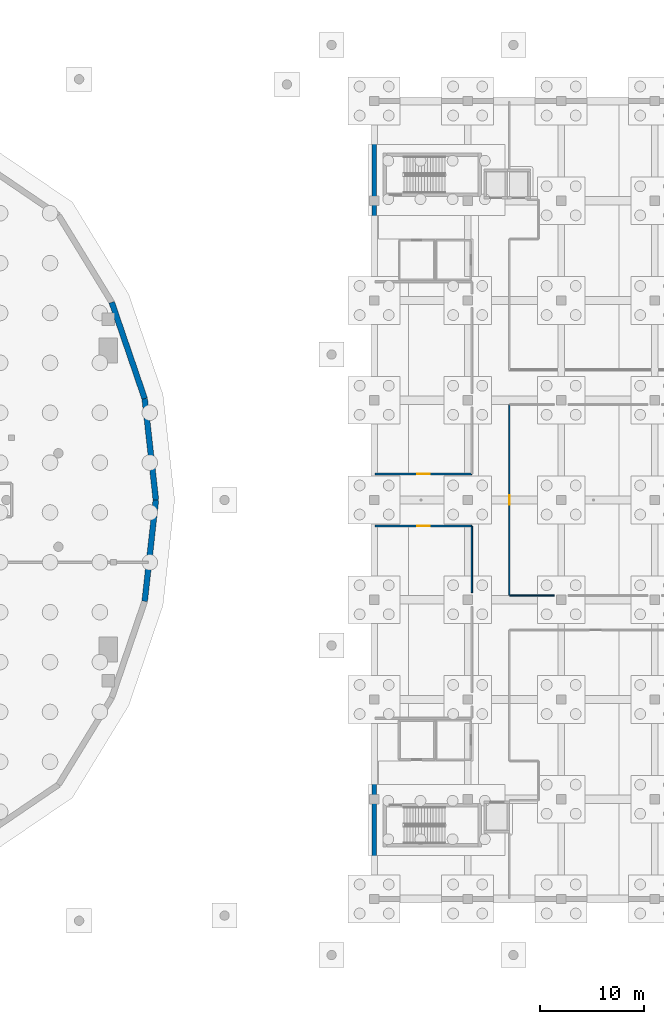
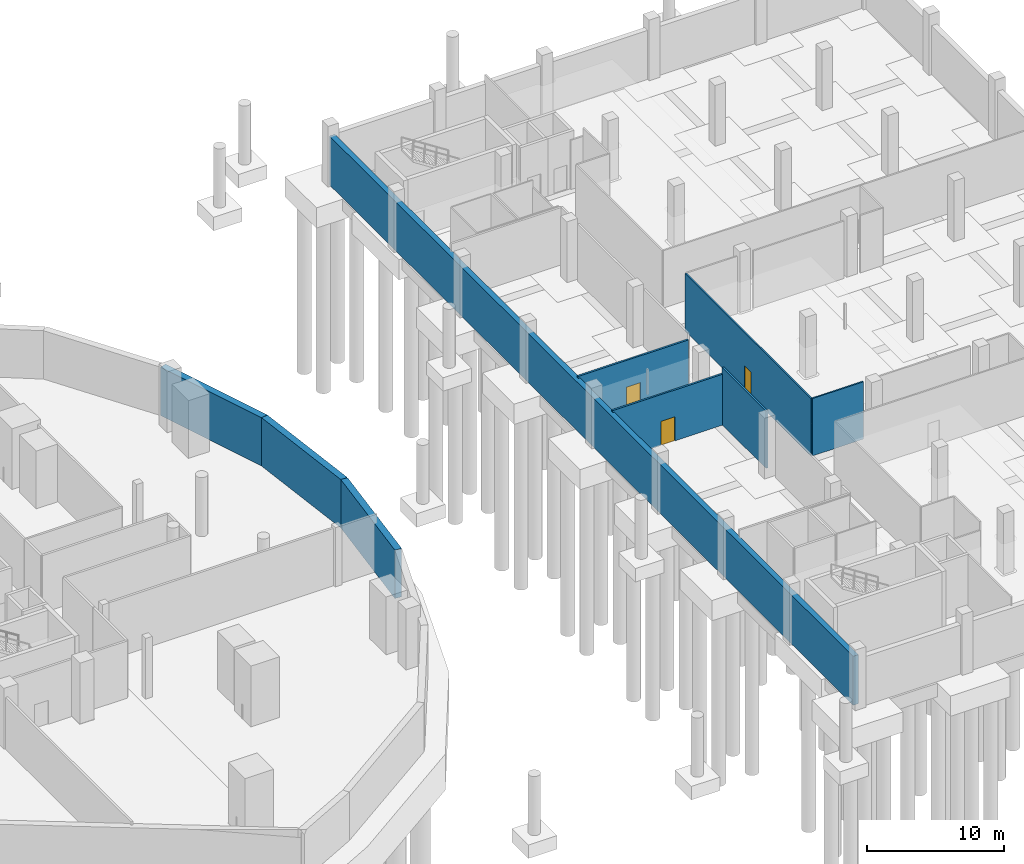
# One storey, part 8 of 22: 9 walls, 3 doors, 3 openings.
"""IFC4 building model written with IfcOpenShell, lengths in metres."""

from ifc_helpers import new_model, si_unit, direction, frame, frame_2d, origin, place, context, subcontext, project, spatial, rectangle, extrude, material, layer, layer_set, type_object, element, fill, save


model = new_model("IFC4")

# Units and contexts
model_context = context("Model", 3, precision=1e-05, world=origin(), true_north=direction((0.0, 1.0)))
body_context = subcontext(model_context, "Body", "Model", "MODEL_VIEW")
ifc_project = project(units=[si_unit("LENGTHUNIT", "METRE"), si_unit("AREAUNIT", "SQUARE_METRE"), si_unit("VOLUMEUNIT", "CUBIC_METRE"), si_unit("PLANEANGLEUNIT", "RADIAN"), si_unit("MASSUNIT", "GRAM", prefix="KILO")], contexts=[model_context])

# Site, building, storey
site_placement = place(None, origin())
site = spatial("IfcSite", under=ifc_project, at=site_placement, CompositionType="ELEMENT")
building_placement = place(site_placement, origin())
building = spatial("IfcBuilding", under=site, at=building_placement, Name="Qorvath Tower", CompositionType="ELEMENT")
storey_placement = place(building_placement, frame((0.0, 0.0, -5.39990234375)))
storey = spatial("IfcBuildingStorey", under=building, at=storey_placement, Name="B01", CompositionType="ELEMENT", Elevation=-5.39990234375)

# Wall
ifc_material_1 = material(Name="Double acoustic gypsum board on steel studs", Category="steel")
ifc_layer_1 = layer(ifc_material_1, 0.159912109375)
ifc_layer_set_1 = layer_set([ifc_layer_1], Name="IW-ACOUSTIC-160")
wall_type_1 = type_object("IfcWallType", Name="IW-ACOUSTIC-160", PredefinedType="PARTITIONING", material=ifc_layer_set_1)
wall_1_placement = place(storey_placement, frame((41.800048828125, -8.925048828125, 0.0), z_axis=(0.0, 0.0, 1.0), x_axis=(0.0, 1.0, 0.0)))
element("IfcWall", 1, at=wall_1_placement, inside=storey, type_object=wall_type_1, Name="Interior Partition IW-LB-B01-016", PredefinedType="PARTITIONING", context=body_context, shape_type="SweptSolid", body=[
    extrude(rectangle(XDim=6.391845703125, YDim=0.159912109375, at=frame_2d((3.19580078125, 0.0))), origin(), (0.0, 0.0, 1.0), 5.099853515625),
])

# Wall, opening, door
wall_2_placement = place(storey_placement, frame((41.77490234375, -2.508056640625, 0.0), z_axis=(0.0, 0.0, 1.0), x_axis=(-1.0, 0.0, 0.0)))
wall_2 = element("IfcWall", 2, at=wall_2_placement, inside=storey, type_object=wall_type_1, Name="Interior Partition IW-LB-B01-017", PredefinedType="PARTITIONING", context=body_context, shape_type="SweptSolid", body=[
    extrude(rectangle(XDim=9.294921875, YDim=0.159912109375, at=frame_2d((4.6474609375, 0.0))), origin(), (0.0, 0.0, 1.0), 4.52587890625),
])
opening_1_placement = place(wall_2_placement, frame((4.04736328125, 0.0, 0.0)))
opening_1 = element("IfcOpeningElement", 3, at=opening_1_placement, cuts=wall_2, Name="Opening D-LB-B01-04", PredefinedType="OPENING", context=body_context, shape_type="SweptSolid", body=[
    extrude(rectangle(XDim=1.199951171875, YDim=2.14990234375, at=frame_2d((0.60009765625, 1.074951171875))), frame((0.0, 0.08984375, 0.0), z_axis=(0.0, -1.0, 0.0), x_axis=(1.0, 0.0, 0.0)), (0.0, 0.0, 1.0), 0.179931640625),
])
ifc_material_2 = material(Name="Painted hollow steel utility leaf", Category="steel")
door_type_1 = type_object("IfcDoorType", Name="D-05", OperationType="NOTDEFINED", PredefinedType="DOOR", material=ifc_material_2)
door_1_placement = place(opening_1_placement, origin())
door_1 = element("IfcDoor", 4, at=door_1_placement, inside=storey, type_object=door_type_1, Name="L-B01-MEP Plant Library Preservation Mechanical Door D-LB-B01-04", OperationType="SINGLE_SWING_LEFT", OverallHeight=2.14990234375, OverallWidth=1.199951171875, PredefinedType="DOOR", context=body_context, shape_type="SweptSolid", body=[
    extrude(rectangle(XDim=1.199951171875, YDim=2.14990234375, at=frame_2d((0.60009765625, 1.074951171875))), frame((0.0, 0.02490234375, 0.0), z_axis=(0.0, -1.0, 0.0), x_axis=(1.0, 0.0, 0.0)), (0.0, 0.0, 1.0), 0.050048828125),
])
fill(opening_1, door_1)

wall_3_placement = place(storey_placement, frame((32.47998046875, 2.508056640625, 0.0), z_axis=(0.0, 0.0, 1.0), x_axis=(1.0, 0.0, 0.0)))
wall_3 = element("IfcWall", 5, at=wall_3_placement, inside=storey, type_object=wall_type_1, Name="Interior Partition IW-LB-B01-018", PredefinedType="PARTITIONING", context=body_context, shape_type="SweptSolid", body=[
    extrude(rectangle(XDim=9.294921875, YDim=0.159912109375, at=frame_2d((4.6474609375, 0.0))), origin(), (0.0, 0.0, 1.0), 4.52587890625),
])
opening_2_placement = place(wall_3_placement, frame((4.04736328125, 0.0, 0.0)))
opening_2 = element("IfcOpeningElement", 6, at=opening_2_placement, cuts=wall_3, Name="Opening D-LB-B01-05", PredefinedType="OPENING", context=body_context, shape_type="SweptSolid", body=[
    extrude(rectangle(XDim=1.199951171875, YDim=2.14990234375, at=frame_2d((0.60009765625, 1.074951171875))), frame((0.0, 0.08984375, 0.0), z_axis=(0.0, -1.0, 0.0), x_axis=(1.0, 0.0, 0.0)), (0.0, 0.0, 1.0), 0.179931640625),
])
door_2_placement = place(opening_2_placement, origin())
door_2 = element("IfcDoor", 7, at=door_2_placement, inside=storey, type_object=door_type_1, Name="L-B01-MEP-2 Plant Library Preservation Mechanical Door D-LB-B01-05", OperationType="SINGLE_SWING_RIGHT", OverallHeight=2.14990234375, OverallWidth=1.199951171875, PredefinedType="DOOR", context=body_context, shape_type="SweptSolid", body=[
    extrude(rectangle(XDim=1.199951171875, YDim=2.14990234375, at=frame_2d((0.60009765625, 1.074951171875))), frame((0.0, 0.02490234375, 0.0), z_axis=(0.0, -1.0, 0.0), x_axis=(1.0, 0.0, 0.0)), (0.0, 0.0, 1.0), 0.050048828125),
])
fill(opening_2, door_2)

ifc_material_3 = material(Name="Gypsum board on metal studs with mineral wool", Category="gypsum")
ifc_layer_2 = layer(ifc_material_3, 0.125)
ifc_layer_set_2 = layer_set([ifc_layer_2], Name="IW-PART-125")
wall_type_2 = type_object("IfcWallType", Name="IW-PART-125", PredefinedType="PARTITIONING", material=ifc_layer_set_2)
wall_4_placement = place(storey_placement, frame((45.407958984375, 9.1669921875, 0.0), z_axis=(0.0, 0.0, 1.0), x_axis=(0.0, -1.0, 0.0)))
wall_4 = element("IfcWall", 8, at=wall_4_placement, inside=storey, type_object=wall_type_2, Name="Interior Partition IW-LB-B01-039", PredefinedType="PARTITIONING", context=body_context, shape_type="SweptSolid", body=[
    extrude(rectangle(XDim=18.333984375, YDim=0.125, at=frame_2d((9.1669921875, 0.0))), origin(), (0.0, 0.0, 1.0), 5.099853515625),
])
opening_3_placement = place(wall_4_placement, frame((8.69189453125, 0.0, 0.0)))
opening_3 = element("IfcOpeningElement", 9, at=opening_3_placement, cuts=wall_4, Name="Opening D-LB-B01-08", PredefinedType="OPENING", context=body_context, shape_type="SweptSolid", body=[
    extrude(rectangle(XDim=0.949951171875, YDim=2.14990234375, at=frame_2d((0.47509765625, 1.074951171875))), frame((0.0, 0.072509765625, 0.0), z_axis=(0.0, -1.0, 0.0), x_axis=(1.0, 0.0, 0.0)), (0.0, 0.0, 1.0), 0.14501953125),
])
ifc_material_4 = material(Name="Solid-core American white oak veneer", Category="wood")
door_type_2 = type_object("IfcDoorType", Name="D-01", OperationType="NOTDEFINED", PredefinedType="DOOR", material=ifc_material_4)
door_3_placement = place(opening_3_placement, origin())
door_3 = element("IfcDoor", 10, at=door_3_placement, inside=storey, type_object=door_type_2, Name="L-B01-ARC-E Rare-Book Preservation Vault East Door D-LB-B01-08", OperationType="SINGLE_SWING_LEFT", OverallHeight=2.14990234375, OverallWidth=0.949951171875, PredefinedType="DOOR", context=body_context, shape_type="SweptSolid", body=[
    extrude(rectangle(XDim=0.949951171875, YDim=2.14990234375, at=frame_2d((0.47509765625, 1.074951171875))), frame((0.0, 0.02490234375, 0.0), z_axis=(0.0, -1.0, 0.0), x_axis=(1.0, 0.0, 0.0)), (0.0, 0.0, 1.0), 0.050048828125),
])
fill(opening_3, door_3)

# Walls
wall_5_placement = place(storey_placement, frame((45.43310546875, -9.19189453125, 0.0), z_axis=(0.0, 0.0, 1.0), x_axis=(1.0, 0.0, 0.0)))
element("IfcWall", 11, at=wall_5_placement, inside=storey, type_object=wall_type_2, Name="Interior Partition IW-LB-B01-040", PredefinedType="PARTITIONING", context=body_context, shape_type="SweptSolid", body=[
    extrude(rectangle(XDim=4.2919921875, YDim=0.125, at=frame_2d((2.14599609375, 0.0))), origin(), (0.0, 0.0, 1.0), 5.099853515625),
])
ifc_material_5 = material(Name="Concrete C45/55", Category="concrete")
ifc_layer_3 = layer(ifc_material_5, 0.449951171875)
ifc_layer_set_3 = layer_set([ifc_layer_3], Name="WL-RW-450")
wall_type_3 = type_object("IfcWallType", Name="WL-RW-450", PredefinedType="USERDEFINED", material=ifc_layer_set_3)
wall_6_placement = place(storey_placement, frame((32.39990234375, 38.159912109375, 0.0), z_axis=(0.0, 0.0, 1.0), x_axis=(0.0, -1.0, 0.0)))
element("IfcWall", 12, at=wall_6_placement, inside=storey, type_object=wall_type_3, Name="Library Basement Retaining Wall 4", ObjectType="RETAININGWALL", PredefinedType="USERDEFINED", context=body_context, shape_type="SweptSolid", body=[
    extrude(rectangle(XDim=76.31982421875, YDim=0.449951171875, at=frame_2d((38.159912109375, 0.0))), origin(), (0.0, 0.0, 1.0), 4.349853515625),
])
ifc_material_6 = material(Name="Concrete C50/60", Category="concrete")
ifc_layer_4 = layer(ifc_material_6, 0.550048828125)
ifc_layer_set_4 = layer_set([ifc_layer_4], Name="WL-RW-550")
wall_type_4 = type_object("IfcWallType", Name="WL-RW-550", PredefinedType="USERDEFINED", material=ifc_layer_set_4)
for number, where, z_axis, x_axis, name in (
    (13, (10.3125, -9.748779296875, 0.0), (0.0, 0.0, 1.0), (0.10960093364, 0.993975671405, 0.0), "Tower Basement Retaining Wall 7"),
    (14, (11.387451171875, 0.0, 0.0), (0.0, 0.0, 1.0), (-0.10960093364, 0.993975671405, 0.0), "Tower Basement Retaining Wall 8"),
    (15, (10.3125, 9.748779296875, 0.0), (0.0, 0.0, 1.0), (-0.323529337119, 0.946218139767, 0.0), "Tower Basement Retaining Wall 9"),
):
    element("IfcWall", number, at=place(storey_placement, frame(where, z_axis=z_axis, x_axis=x_axis)), inside=storey, type_object=wall_type_4, Name=name, ObjectType="RETAININGWALL", PredefinedType="USERDEFINED", context=body_context, shape_type="SweptSolid", body=[
        extrude(rectangle(XDim=9.807861328125, YDim=0.550048828125, at=frame_2d((4.90380859375, 0.0))), origin(), (0.0, 0.0, 1.0), 4.2998046875),
    ])

save(model, "model.ifc")
